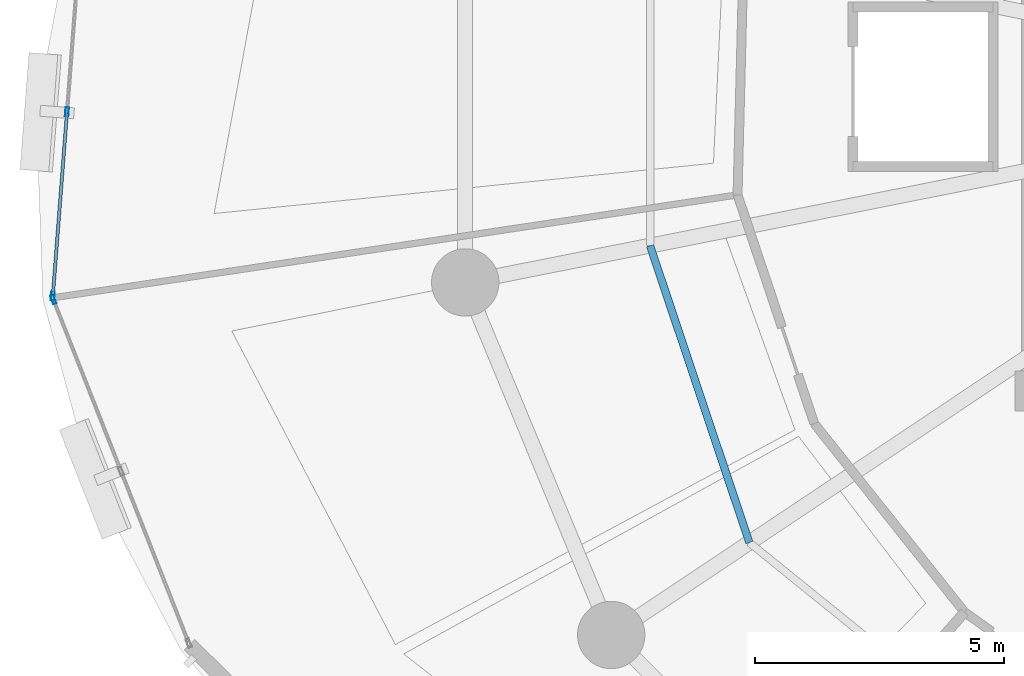
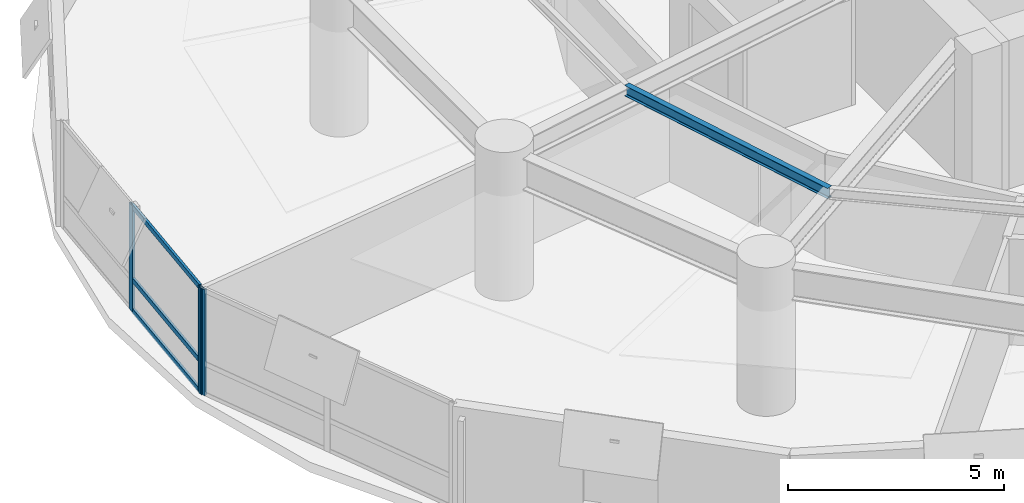
# One storey, part 4 of 17: 6 members, 1 beam, 2 elements without a shape of their own.
"""IFC4 building model written with IfcOpenShell, lengths in metres."""

from ifc_helpers import new_model, si_unit, direction, frame, origin, origin_2d, place, context, subcontext, project, spatial, hollow_rectangle, i_section, extrude, material, layer, layer_set, material_profile, profile_set, type_object, element, aggregate, save


model = new_model("IFC4")

# Units and contexts
model_context = context("Model", 3, precision=1e-05, world=origin(), true_north=direction((0.0, 1.0)))
body_context = subcontext(model_context, "Body", "Model", "MODEL_VIEW")
ifc_project = project(units=[si_unit("LENGTHUNIT", "METRE"), si_unit("AREAUNIT", "SQUARE_METRE"), si_unit("VOLUMEUNIT", "CUBIC_METRE"), si_unit("PLANEANGLEUNIT", "RADIAN"), si_unit("MASSUNIT", "GRAM", prefix="KILO"), si_unit("THERMODYNAMICTEMPERATUREUNIT", "KELVIN"), si_unit("POWERUNIT", "WATT")], contexts=[model_context])

# Site, building, storey
site_placement = place(None, origin())
site = spatial("IfcSite", under=ifc_project, at=site_placement, CompositionType="ELEMENT")
building_placement = place(site_placement, origin())
building = spatial("IfcBuilding", under=site, at=building_placement, Name="Ocrelia Relay Tower", CompositionType="ELEMENT")
storey_placement = place(building_placement, frame((0.0, 0.0, 67.800048828125)))
storey = spatial("IfcBuildingStorey", under=building, at=storey_placement, Name="L15", CompositionType="ELEMENT", Elevation=67.800048828125)

# Beam
ifc_material_1 = material(Name="Steel S355", Category="steel")
ifc_material_profile_1 = material_profile(ifc_material_1, i_section(OverallWidth=0.14990234375, OverallDepth=0.300048828125, WebThickness=0.007080078125, FlangeThickness=0.0107421875, FilletRadius=0.014892578125, at=origin_2d()), Name="IPE 300")
ifc_profile_set_1 = profile_set([ifc_material_profile_1], Name="Steel S355")
beam_type = type_object("IfcBeamType", Name="BM-IPE300", PredefinedType="JOIST", material=ifc_profile_set_1)
beam_placement = place(storey_placement, frame((18.481689453125, 22.9130859375, 3.77001953125), z_axis=(0.317067865999, -0.948402851298, 0.0), x_axis=(0.948402851298, 0.317067865999, 0.0)))
element("IfcBeam", 1, at=beam_placement, inside=storey, type_object=beam_type, Name="L15 Secondary Floor Joist J09", PredefinedType="JOIST", context=body_context, shape_type="SweptSolid", body=[
    extrude(i_section(OverallWidth=0.14990234375, OverallDepth=0.300048828125, WebThickness=0.007080078125, FlangeThickness=0.0107421875, FilletRadius=0.014892578125, at=origin_2d()), origin(), (0.0, 0.0, 1.0), 6.276123046875),
])

# Curtain wall, members
ifc_material_2 = material(Name="Aluminium and solar-control low-E glass", Category="aluminium")
ifc_layer = layer(ifc_material_2, 0.179931640625, Name="Aluminium and solar-control low-E glass")
ifc_layer_set = layer_set([ifc_layer], Name="Aluminium and solar-control low-E glass")
curtain_wall_type = type_object("IfcCurtainWallType", Name="CW-SYS-Z1-DATA", PredefinedType="NOTDEFINED", material=ifc_layer_set)
curtain_wall_1_placement = place(storey_placement, origin())
curtain_wall_1 = element("IfcCurtainWall", 2, at=curtain_wall_1_placement, inside=storey, type_object=curtain_wall_type, Name="L15 Elliptical Tower Curtain Wall Bay 09", PredefinedType="NOTDEFINED")
ifc_material_3 = material(Name="Anodised bronze aluminium", Category="aluminium")
ifc_material_profile_2 = material_profile(ifc_material_3, hollow_rectangle(XDim=0.070068359375, YDim=0.179931640625, WallThickness=0.006103515625, at=origin_2d()), Name="CW-MUL-180x70")
ifc_profile_set_2 = profile_set([ifc_material_profile_2], Name="Anodised bronze aluminium")
member_type_1 = type_object("IfcMemberType", Name="CW-SYS-Z1-DATA-MUL", PredefinedType="MULLION", material=ifc_profile_set_2)
member_1_placement = place(storey_placement, frame((6.79638671875, 25.593505859375, 0.0), z_axis=(0.0, 0.0, 1.0), x_axis=(0.997039436731, -0.076891882558, 0.0)))
member_1 = element("IfcMember", 3, at=member_1_placement, type_object=member_type_1, Name="CW-Z1 mullion 2", PredefinedType="MULLION", context=body_context, shape_type="SweptSolid", body=[
    extrude(hollow_rectangle(XDim=0.070068359375, YDim=0.179931640625, WallThickness=0.006103515625, at=origin_2d()), origin(), (0.0, 0.0, 1.0), 3.0),
])
member_2_placement = place(storey_placement, frame((6.51171875, 21.90185546875, 0.0), z_axis=(0.0, 0.0, 1.0), x_axis=(0.997039436731, -0.076891882558, 0.0)))
member_2 = element("IfcMember", 4, at=member_2_placement, type_object=member_type_1, Name="CW-Z1 mullion 3", PredefinedType="MULLION", context=body_context, shape_type="SweptSolid", body=[
    extrude(hollow_rectangle(XDim=0.070068359375, YDim=0.179931640625, WallThickness=0.006103515625, at=origin_2d()), origin(), (0.0, 0.0, 1.0), 3.0),
])

# Curtain wall, member
curtain_wall_2_placement = place(storey_placement, origin())
curtain_wall_2 = element("IfcCurtainWall", 5, at=curtain_wall_2_placement, inside=storey, type_object=curtain_wall_type, Name="L15 Elliptical Tower Curtain Wall Bay 10", PredefinedType="NOTDEFINED")
member_3_placement = place(storey_placement, frame((6.521728515625, 21.834228515625, 0.0), z_axis=(0.0, 0.0, 1.0), x_axis=(0.930352257537, 0.366666983645, 0.0)))
member_3 = element("IfcMember", 6, at=member_3_placement, type_object=member_type_1, Name="CW-Z1 mullion 1", PredefinedType="MULLION", context=body_context, shape_type="SweptSolid", body=[
    extrude(hollow_rectangle(XDim=0.070068359375, YDim=0.179931640625, WallThickness=0.006103515625, at=origin_2d()), origin(), (0.0, 0.0, 1.0), 3.0),
])
aggregate(curtain_wall_2, [member_3])

# Member
ifc_material_profile_3 = material_profile(ifc_material_3, hollow_rectangle(XDim=0.06494140625, YDim=0.139892578125, WallThickness=0.0048828125, at=origin_2d()), Name="CW-TRN-140x65")
ifc_profile_set_3 = profile_set([ifc_material_profile_3], Name="Anodised bronze aluminium")
member_type_2 = type_object("IfcMemberType", Name="CW-SYS-Z1-DATA-TRN", PredefinedType="USERDEFINED", material=ifc_profile_set_3)
member_4_placement = place(storey_placement, frame((6.793701171875, 25.55859375, 0.032470703125), z_axis=(-0.076886658343, -0.99703983961, 0.0), x_axis=(0.99703983961, -0.076886658343, 0.0)))
member_4 = element("IfcMember", 7, at=member_4_placement, type_object=member_type_2, Name="CW-Z1 transom 2.1", ObjectType="TRANSOM", PredefinedType="USERDEFINED", context=body_context, shape_type="SweptSolid", body=[
    extrude(hollow_rectangle(XDim=0.06494140625, YDim=0.139892578125, WallThickness=0.0048828125, at=origin_2d()), origin(), (0.0, 0.0, 1.0), 3.632568359375),
])

member_5_placement = place(storey_placement, frame((6.793701171875, 25.55859375, 0.89990234375), z_axis=(-0.076886658343, -0.99703983961, 0.0), x_axis=(0.99703983961, -0.076886658343, 0.0)))
member_5 = element("IfcMember", 8, at=member_5_placement, type_object=member_type_2, Name="CW-Z1 transom 2.2", ObjectType="TRANSOM", PredefinedType="USERDEFINED", context=body_context, shape_type="SweptSolid", body=[
    extrude(hollow_rectangle(XDim=0.06494140625, YDim=0.139892578125, WallThickness=0.0048828125, at=origin_2d()), origin(), (0.0, 0.0, 1.0), 3.632568359375),
])

member_6_placement = place(storey_placement, frame((6.793701171875, 25.55859375, 2.967529296875), z_axis=(-0.076886658343, -0.99703983961, 0.0), x_axis=(0.99703983961, -0.076886658343, 0.0)))
member_6 = element("IfcMember", 9, at=member_6_placement, type_object=member_type_2, Name="CW-Z1 transom 2.3", ObjectType="TRANSOM", PredefinedType="USERDEFINED", context=body_context, shape_type="SweptSolid", body=[
    extrude(hollow_rectangle(XDim=0.06494140625, YDim=0.139892578125, WallThickness=0.0048828125, at=origin_2d()), origin(), (0.0, 0.0, 1.0), 3.632568359375),
])

aggregate(curtain_wall_1, [member_1, member_2, member_4, member_5, member_6])

save(model, "model.ifc")
